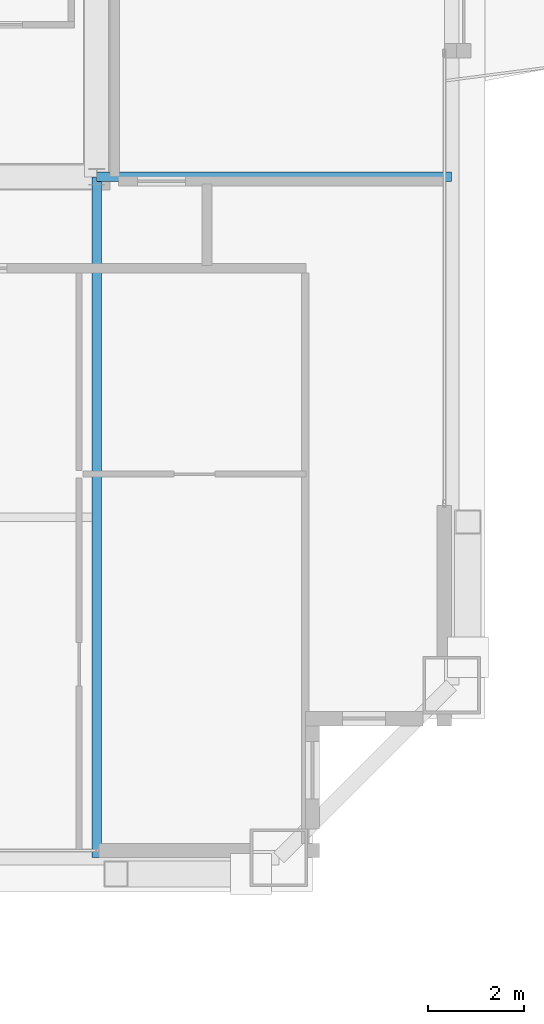
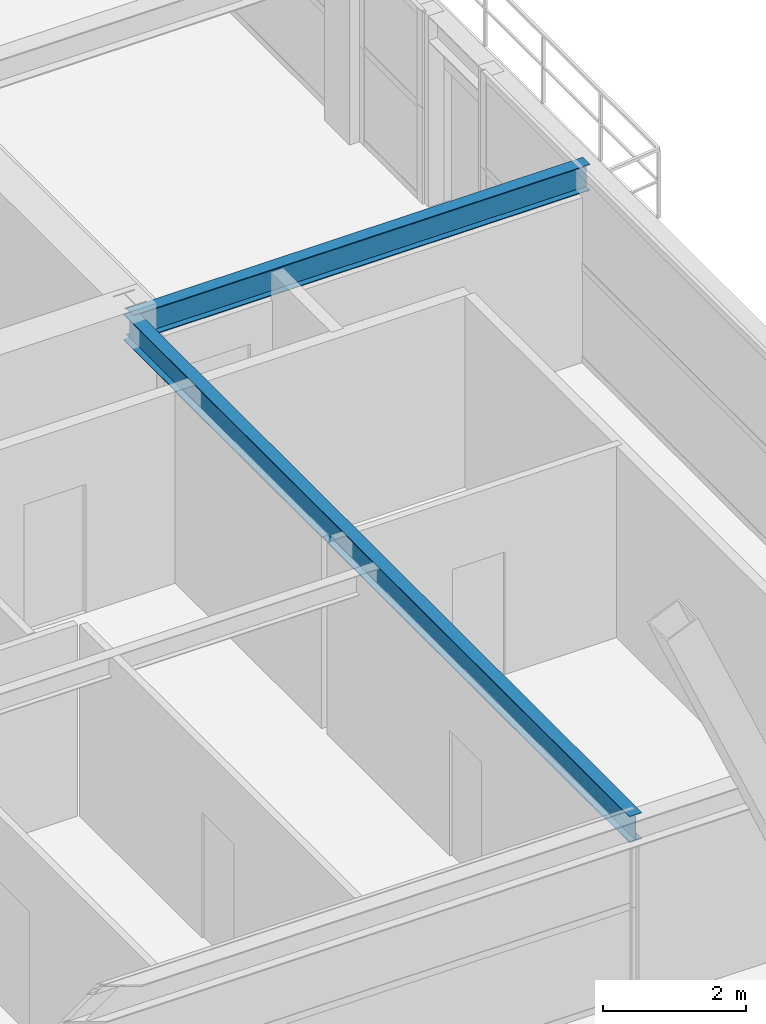
# One storey, part 16 of 37: 2 beams.
"""IFC4 building model written with IfcOpenShell, lengths in metres."""

from ifc_helpers import new_model, si_unit, direction, frame, origin, origin_2d, place, context, subcontext, project, spatial, i_section, extrude, source, transform, mapped, material, material_profile, profile_set, type_object, element, save


model = new_model("IFC4")

# Units and contexts
model_context = context("Model", 3, precision=1e-05, world=origin(), true_north=direction((0.0, 1.0)))
body_context = subcontext(model_context, "Body", "Model", "MODEL_VIEW")
ifc_project = project(units=[si_unit("LENGTHUNIT", "METRE"), si_unit("AREAUNIT", "SQUARE_METRE"), si_unit("VOLUMEUNIT", "CUBIC_METRE"), si_unit("PLANEANGLEUNIT", "RADIAN"), si_unit("MASSUNIT", "GRAM", prefix="KILO"), si_unit("THERMODYNAMICTEMPERATUREUNIT", "KELVIN"), si_unit("POWERUNIT", "WATT")], contexts=[model_context])

# Site, building, storey
site_placement = place(None, origin())
site = spatial("IfcSite", under=ifc_project, at=site_placement, CompositionType="ELEMENT")
building_placement = place(site_placement, origin())
building = spatial("IfcBuilding", under=site, at=building_placement, Name="Yuzanri Waterfront Tower", CompositionType="ELEMENT")
storey_placement = place(building_placement, frame((0.0, 0.0, 278.60009765625)))
storey = spatial("IfcBuildingStorey", under=building, at=storey_placement, Name="L74", CompositionType="ELEMENT", Elevation=278.60009765625)

# Beams
ifc_material = material(Name="Steel Q355B", Category="steel")
ifc_material_profile = material_profile(ifc_material, i_section(OverallWidth=0.199951171875, OverallDepth=0.449951171875, WebThickness=0.009033203125, FlangeThickness=0.013916015625, at=origin_2d()), Name="HN 450x200x9x14")
ifc_profile_set = profile_set([ifc_material_profile], Name="Steel Q355B")
beam_type = type_object("IfcBeamType", Name="Secondary Floor Beam Q355B HN 450x200", PredefinedType="BEAM", material=ifc_profile_set)
shared_shape_1 = source(origin(), body_context, "Body", "SweptSolid", [
    extrude(i_section(OverallWidth=0.199951171875, OverallDepth=0.449951171875, WebThickness=0.009033203125, FlangeThickness=0.013916015625, at=origin_2d()), origin(), (0.0, 0.0, 1.0), 14.199951171875),
])
beam_1_placement = place(storey_placement, frame((50.199951171875, 19.39990234375, 3.054931640625), z_axis=(0.0, -1.0, 0.0), x_axis=(1.0, 0.0, 0.0)))
element("IfcBeam", 1, at=beam_1_placement, inside=storey, type_object=beam_type, Name="L74 South-East Core Line Beam", PredefinedType="BEAM", context=body_context, shape_type="MappedRepresentation", body=[
    mapped(shared_shape_1, transform((0.0, 0.0, 0.0), scale=1.0)),
])
shared_shape_2 = source(origin(), body_context, "Body", "SweptSolid", [
    extrude(i_section(OverallWidth=0.199951171875, OverallDepth=0.449951171875, WebThickness=0.009033203125, FlangeThickness=0.013916015625, at=origin_2d()), origin(), (0.0, 0.0, 1.0), 7.400146484375),
])
beam_2_placement = place(storey_placement, frame((50.199951171875, 19.39990234375, 3.054931640625), z_axis=(1.0, 0.0, 0.0), x_axis=(0.0, 1.0, 0.0)))
element("IfcBeam", 2, at=beam_2_placement, inside=storey, type_object=beam_type, Name="L74 East-South Core Line Beam", PredefinedType="BEAM", context=body_context, shape_type="MappedRepresentation", body=[
    mapped(shared_shape_2, transform((0.0, 0.0, 0.0), scale=1.0)),
])

save(model, "model.ifc")
